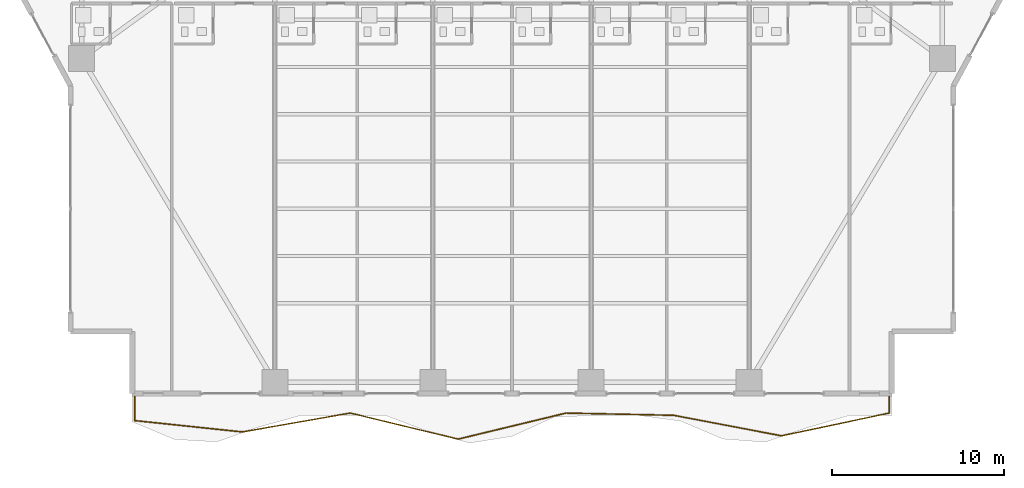
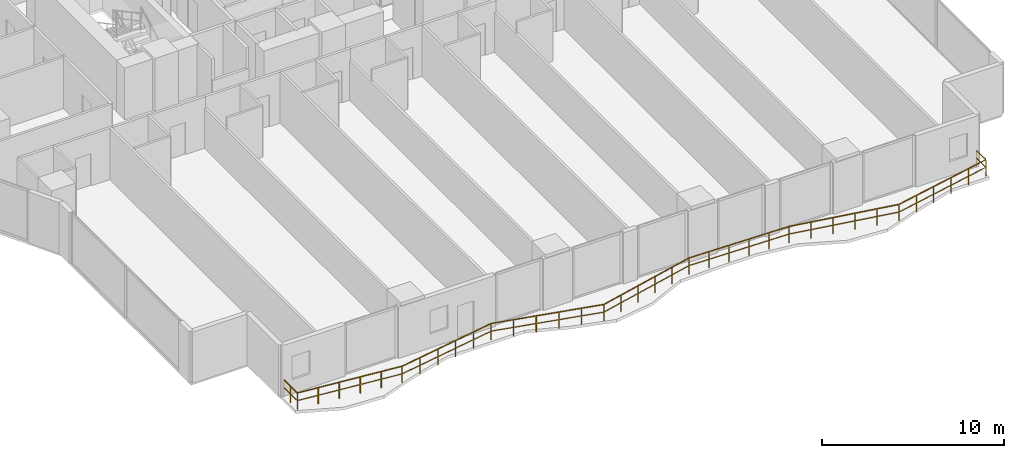
# One storey, part 25 of 29: 1 railing.
"""IFC4 building model written with IfcOpenShell, lengths in metres."""

from ifc_helpers import new_model, si_unit, direction, frame, origin, origin_2d, place, context, subcontext, project, spatial, rectangle, extrude, material, type_object, element, save


model = new_model("IFC4")

# Units and contexts
model_context = context("Model", 3, precision=1e-05, world=origin(), true_north=direction((0.0, 1.0)))
body_context = subcontext(model_context, "Body", "Model", "MODEL_VIEW")
ifc_project = project(units=[si_unit("LENGTHUNIT", "METRE"), si_unit("AREAUNIT", "SQUARE_METRE"), si_unit("VOLUMEUNIT", "CUBIC_METRE"), si_unit("PLANEANGLEUNIT", "RADIAN"), si_unit("MASSUNIT", "GRAM", prefix="KILO")], contexts=[model_context])

# Site, building, storey
site_placement = place(None, origin())
site = spatial("IfcSite", under=ifc_project, at=site_placement, CompositionType="ELEMENT")
building_placement = place(site_placement, origin())
building = spatial("IfcBuilding", under=site, at=building_placement, Name="Zuhayl Quay Hotel", CompositionType="ELEMENT")
storey_placement = place(building_placement, frame((0.0, 0.0, 64.10009765625)))
storey = spatial("IfcBuildingStorey", under=building, at=storey_placement, Name="L15", CompositionType="ELEMENT", Elevation=64.10009765625)

# Railing
ifc_material = material(Name="Anodised Aluminium and Laminated Glass", Category="aluminium")
railing_type = type_object("IfcRailingType", Name="RL_EXT_BAL_1100", PredefinedType="BALUSTRADE", material=ifc_material)
railing_placement = place(storey_placement, frame((-21.9599609375, -23.219970703125, 0.0)))
element("IfcRailing", 1, at=railing_placement, inside=storey, type_object=railing_type, Name="L15 Balcony and Terrace Guard GR_L15_BAL_S", PredefinedType="BALUSTRADE", context=body_context, shape_type="SweptSolid", body=[
    extrude(rectangle(XDim=0.048095703125, YDim=0.048095703125, at=origin_2d()), frame((0.0, 0.0, 1.09619140625), z_axis=(0.0, -1.0, 0.0), x_axis=(1.0, 0.0, 0.0)), (0.0, 0.0, 1.0), 1.458740234375),
    extrude(rectangle(XDim=0.0361328125, YDim=0.0361328125, at=origin_2d()), frame((0.0, 0.0, 0.58251953125), z_axis=(0.0, -1.0, 0.0), x_axis=(1.0, 0.0, 0.0)), (0.0, 0.0, 1.0), 1.458740234375),
    extrude(rectangle(XDim=0.048095703125, YDim=0.048095703125, at=origin_2d()), frame((0.0, -1.458740234375, 1.09619140625), z_axis=(0.994506089039, -0.104678741229, 0.0), x_axis=(0.104678741229, 0.994506089039, 0.0)), (0.0, 0.0, 1.0), 6.308837890625),
    extrude(rectangle(XDim=0.0361328125, YDim=0.0361328125, at=origin_2d()), frame((0.0, -1.458740234375, 0.58251953125), z_axis=(0.994506089039, -0.104678741229, 0.0), x_axis=(0.104678741229, 0.994506089039, 0.0)), (0.0, 0.0, 1.0), 6.308837890625),
    extrude(rectangle(XDim=0.048095703125, YDim=0.048095703125, at=origin_2d()), frame((6.274169921875, -2.119140625, 1.09619140625), z_axis=(0.985001167382, 0.172547675313, 0.0), x_axis=(-0.172547675313, 0.985001167382, 0.0)), (0.0, 0.0, 1.0), 6.369873046875),
    extrude(rectangle(XDim=0.0361328125, YDim=0.0361328125, at=origin_2d()), frame((6.274169921875, -2.119140625, 0.58251953125), z_axis=(0.985001167382, 0.172547675313, 0.0), x_axis=(-0.172547675313, 0.985001167382, 0.0)), (0.0, 0.0, 1.0), 6.369873046875),
    extrude(rectangle(XDim=0.048095703125, YDim=0.048095703125, at=origin_2d()), frame((12.548583984375, -1.02001953125, 1.09619140625), z_axis=(0.97196309602, -0.235133451417, 0.0), x_axis=(0.235133451417, 0.97196309602, 0.0)), (0.0, 0.0, 1.0), 6.455078125),
    extrude(rectangle(XDim=0.0361328125, YDim=0.0361328125, at=origin_2d()), frame((12.548583984375, -1.02001953125, 0.58251953125), z_axis=(0.97196309602, -0.235133451417, 0.0), x_axis=(0.235133451417, 0.97196309602, 0.0)), (0.0, 0.0, 1.0), 6.455078125),
    extrude(rectangle(XDim=0.048095703125, YDim=0.048095703125, at=origin_2d()), frame((18.82275390625, -2.537841796875, 1.09619140625), z_axis=(0.971965186945, 0.235124808064, 0.0), x_axis=(-0.235124808064, 0.971965186945, 0.0)), (0.0, 0.0, 1.0), 6.455322265625),
    extrude(rectangle(XDim=0.0361328125, YDim=0.0361328125, at=origin_2d()), frame((18.82275390625, -2.537841796875, 0.58251953125), z_axis=(0.971965186945, 0.235124808064, 0.0), x_axis=(-0.235124808064, 0.971965186945, 0.0)), (0.0, 0.0, 1.0), 6.455322265625),
    extrude(rectangle(XDim=0.048095703125, YDim=0.048095703125, at=origin_2d()), frame((25.09716796875, -1.02001953125, 1.09619140625), z_axis=(0.999780127035, -0.020968967216, 0.0), x_axis=(0.020968967216, 0.999780127035, 0.0)), (0.0, 0.0, 1.0), 6.275634765625),
    extrude(rectangle(XDim=0.0361328125, YDim=0.0361328125, at=origin_2d()), frame((25.09716796875, -1.02001953125, 0.58251953125), z_axis=(0.999780127035, -0.020968967216, 0.0), x_axis=(0.020968967216, 0.999780127035, 0.0)), (0.0, 0.0, 1.0), 6.275634765625),
    extrude(rectangle(XDim=0.048095703125, YDim=0.048095703125, at=origin_2d()), frame((31.371337890625, -1.151611328125, 1.09619140625), z_axis=(0.982389385638, -0.186845109611, 0.0), x_axis=(0.186845109611, 0.982389385638, 0.0)), (0.0, 0.0, 1.0), 6.386962890625),
    extrude(rectangle(XDim=0.0361328125, YDim=0.0361328125, at=origin_2d()), frame((31.371337890625, -1.151611328125, 0.58251953125), z_axis=(0.982389385638, -0.186845109611, 0.0), x_axis=(0.186845109611, 0.982389385638, 0.0)), (0.0, 0.0, 1.0), 6.386962890625),
    extrude(rectangle(XDim=0.048095703125, YDim=0.048095703125, at=origin_2d()), frame((37.645751953125, -2.344970703125, 1.09619140625), z_axis=(0.978421543559, 0.206618690101, 0.0), x_axis=(-0.206618690101, 0.978421543559, 0.0)), (0.0, 0.0, 1.0), 6.41259765625),
    extrude(rectangle(XDim=0.0361328125, YDim=0.0361328125, at=origin_2d()), frame((37.645751953125, -2.344970703125, 0.58251953125), z_axis=(0.978421543559, 0.206618690101, 0.0), x_axis=(-0.206618690101, 0.978421543559, 0.0)), (0.0, 0.0, 1.0), 6.41259765625),
    extrude(rectangle(XDim=0.048095703125, YDim=0.048095703125, at=origin_2d()), frame((43.919921875, -1.02001953125, 1.09619140625), z_axis=(0.0, 1.0, 0.0), x_axis=(-1.0, 0.0, 0.0)), (0.0, 0.0, 1.0), 1.02001953125),
    extrude(rectangle(XDim=0.0361328125, YDim=0.0361328125, at=origin_2d()), frame((43.919921875, -1.02001953125, 0.58251953125), z_axis=(0.0, 1.0, 0.0), x_axis=(-1.0, 0.0, 0.0)), (0.0, 0.0, 1.0), 1.02001953125),
    extrude(rectangle(XDim=0.0419921875, YDim=0.0419921875, at=origin_2d()), origin(), (0.0, 0.0, 1.0), 1.072021484375),
    extrude(rectangle(XDim=0.0419921875, YDim=0.0419921875, at=origin_2d()), frame((0.0, -0.7294921875, 0.0)), (0.0, 0.0, 1.0), 1.072021484375),
    extrude(rectangle(XDim=0.0419921875, YDim=0.0419921875, at=origin_2d()), frame((0.0, -1.458740234375, 0.0)), (0.0, 0.0, 1.0), 1.072021484375),
    extrude(rectangle(XDim=0.0419921875, YDim=0.0419921875, at=origin_2d()), frame((1.2548828125, -1.5908203125, 0.0)), (0.0, 0.0, 1.0), 1.072021484375),
    extrude(rectangle(XDim=0.0419921875, YDim=0.0419921875, at=origin_2d()), frame((2.509765625, -1.722900390625, 0.0)), (0.0, 0.0, 1.0), 1.072021484375),
    extrude(rectangle(XDim=0.0419921875, YDim=0.0419921875, at=origin_2d()), frame((3.764404296875, -1.85498046875, 0.0)), (0.0, 0.0, 1.0), 1.072021484375),
    extrude(rectangle(XDim=0.0419921875, YDim=0.0419921875, at=origin_2d()), frame((5.019287109375, -1.987060546875, 0.0)), (0.0, 0.0, 1.0), 1.072021484375),
    extrude(rectangle(XDim=0.0419921875, YDim=0.0419921875, at=origin_2d()), frame((6.274169921875, -2.119140625, 0.0)), (0.0, 0.0, 1.0), 1.072021484375),
    extrude(rectangle(XDim=0.0419921875, YDim=0.0419921875, at=origin_2d()), frame((7.529052734375, -1.8994140625, 0.0)), (0.0, 0.0, 1.0), 1.072021484375),
    extrude(rectangle(XDim=0.0419921875, YDim=0.0419921875, at=origin_2d()), frame((8.783935546875, -1.679443359375, 0.0)), (0.0, 0.0, 1.0), 1.072021484375),
    extrude(rectangle(XDim=0.0419921875, YDim=0.0419921875, at=origin_2d()), frame((10.038818359375, -1.459716796875, 0.0)), (0.0, 0.0, 1.0), 1.072021484375),
    extrude(rectangle(XDim=0.0419921875, YDim=0.0419921875, at=origin_2d()), frame((11.293701171875, -1.23974609375, 0.0)), (0.0, 0.0, 1.0), 1.072021484375),
    extrude(rectangle(XDim=0.0419921875, YDim=0.0419921875, at=origin_2d()), frame((12.548583984375, -1.02001953125, 0.0)), (0.0, 0.0, 1.0), 1.072021484375),
    extrude(rectangle(XDim=0.0419921875, YDim=0.0419921875, at=origin_2d()), frame((13.803466796875, -1.323486328125, 0.0)), (0.0, 0.0, 1.0), 1.072021484375),
    extrude(rectangle(XDim=0.0419921875, YDim=0.0419921875, at=origin_2d()), frame((15.058349609375, -1.627197265625, 0.0)), (0.0, 0.0, 1.0), 1.072021484375),
    extrude(rectangle(XDim=0.0419921875, YDim=0.0419921875, at=origin_2d()), frame((16.31298828125, -1.9306640625, 0.0)), (0.0, 0.0, 1.0), 1.072021484375),
    extrude(rectangle(XDim=0.0419921875, YDim=0.0419921875, at=origin_2d()), frame((17.56787109375, -2.234375, 0.0)), (0.0, 0.0, 1.0), 1.072021484375),
    extrude(rectangle(XDim=0.0419921875, YDim=0.0419921875, at=origin_2d()), frame((18.82275390625, -2.537841796875, 0.0)), (0.0, 0.0, 1.0), 1.072021484375),
    extrude(rectangle(XDim=0.0419921875, YDim=0.0419921875, at=origin_2d()), frame((20.07763671875, -2.234375, 0.0)), (0.0, 0.0, 1.0), 1.072021484375),
    extrude(rectangle(XDim=0.0419921875, YDim=0.0419921875, at=origin_2d()), frame((21.33251953125, -1.9306640625, 0.0)), (0.0, 0.0, 1.0), 1.072021484375),
    extrude(rectangle(XDim=0.0419921875, YDim=0.0419921875, at=origin_2d()), frame((22.58740234375, -1.627197265625, 0.0)), (0.0, 0.0, 1.0), 1.072021484375),
    extrude(rectangle(XDim=0.0419921875, YDim=0.0419921875, at=origin_2d()), frame((23.84228515625, -1.323486328125, 0.0)), (0.0, 0.0, 1.0), 1.072021484375),
    extrude(rectangle(XDim=0.0419921875, YDim=0.0419921875, at=origin_2d()), frame((25.09716796875, -1.02001953125, 0.0)), (0.0, 0.0, 1.0), 1.072021484375),
    extrude(rectangle(XDim=0.0419921875, YDim=0.0419921875, at=origin_2d()), frame((26.35205078125, -1.04638671875, 0.0)), (0.0, 0.0, 1.0), 1.072021484375),
    extrude(rectangle(XDim=0.0419921875, YDim=0.0419921875, at=origin_2d()), frame((27.60693359375, -1.07275390625, 0.0)), (0.0, 0.0, 1.0), 1.072021484375),
    extrude(rectangle(XDim=0.0419921875, YDim=0.0419921875, at=origin_2d()), frame((28.861572265625, -1.098876953125, 0.0)), (0.0, 0.0, 1.0), 1.072021484375),
    extrude(rectangle(XDim=0.0419921875, YDim=0.0419921875, at=origin_2d()), frame((30.116455078125, -1.125244140625, 0.0)), (0.0, 0.0, 1.0), 1.072021484375),
    extrude(rectangle(XDim=0.0419921875, YDim=0.0419921875, at=origin_2d()), frame((31.371337890625, -1.151611328125, 0.0)), (0.0, 0.0, 1.0), 1.072021484375),
    extrude(rectangle(XDim=0.0419921875, YDim=0.0419921875, at=origin_2d()), frame((32.626220703125, -1.390380859375, 0.0)), (0.0, 0.0, 1.0), 1.072021484375),
    extrude(rectangle(XDim=0.0419921875, YDim=0.0419921875, at=origin_2d()), frame((33.881103515625, -1.62890625, 0.0)), (0.0, 0.0, 1.0), 1.072021484375),
    extrude(rectangle(XDim=0.0419921875, YDim=0.0419921875, at=origin_2d()), frame((35.135986328125, -1.86767578125, 0.0)), (0.0, 0.0, 1.0), 1.072021484375),
    extrude(rectangle(XDim=0.0419921875, YDim=0.0419921875, at=origin_2d()), frame((36.390869140625, -2.106201171875, 0.0)), (0.0, 0.0, 1.0), 1.072021484375),
    extrude(rectangle(XDim=0.0419921875, YDim=0.0419921875, at=origin_2d()), frame((37.645751953125, -2.344970703125, 0.0)), (0.0, 0.0, 1.0), 1.072021484375),
    extrude(rectangle(XDim=0.0419921875, YDim=0.0419921875, at=origin_2d()), frame((38.900634765625, -2.080078125, 0.0)), (0.0, 0.0, 1.0), 1.072021484375),
    extrude(rectangle(XDim=0.0419921875, YDim=0.0419921875, at=origin_2d()), frame((40.155517578125, -1.81494140625, 0.0)), (0.0, 0.0, 1.0), 1.072021484375),
    extrude(rectangle(XDim=0.0419921875, YDim=0.0419921875, at=origin_2d()), frame((41.41015625, -1.550048828125, 0.0)), (0.0, 0.0, 1.0), 1.072021484375),
    extrude(rectangle(XDim=0.0419921875, YDim=0.0419921875, at=origin_2d()), frame((42.6650390625, -1.284912109375, 0.0)), (0.0, 0.0, 1.0), 1.072021484375),
    extrude(rectangle(XDim=0.0419921875, YDim=0.0419921875, at=origin_2d()), frame((43.919921875, -1.02001953125, 0.0)), (0.0, 0.0, 1.0), 1.072021484375),
    extrude(rectangle(XDim=0.0419921875, YDim=0.0419921875, at=origin_2d()), frame((43.919921875, 0.0, 0.0)), (0.0, 0.0, 1.0), 1.072021484375),
])

save(model, "model.ifc")
